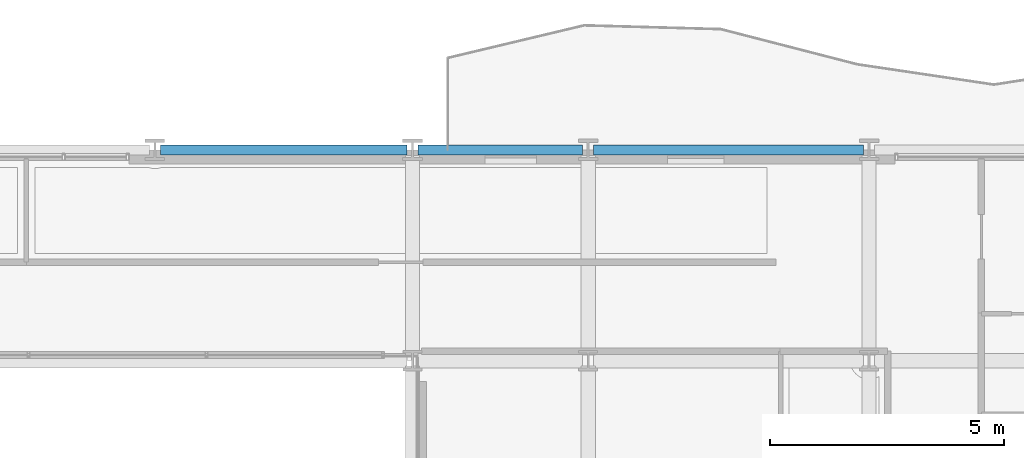
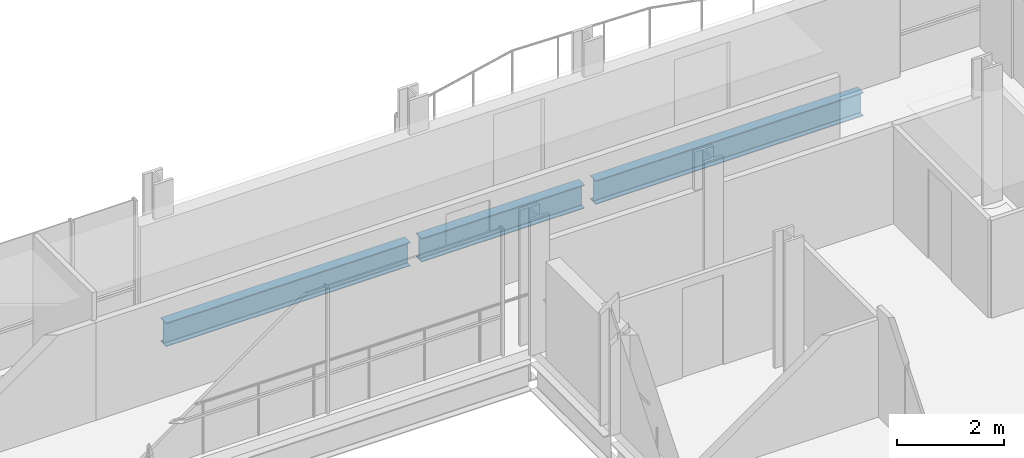
# One storey, part 23 of 41: 3 beams.
"""IFC4 building model written with IfcOpenShell, lengths in metres."""

import ifcopenshell
import ifcopenshell.guid

model = None  # the IFC model being written
_history = None  # IfcOwnerHistory: only IFC2X3 demands one
_inside = {}  # id of a spatial element -> (the spatial element, [elements in it])
_under = {}  # id of a project, library or spatial element -> (it, [spatial elements below it])
_declared = {}  # id of a project -> (the project, [libraries it declares])
_typed = {}  # id of a type object -> (the type object, [elements of that type])
_made_of = {}  # id of a material, layer set ... -> (it, [elements and type objects made of it])


def new_model(schema):
    """Start an empty IFC model of exactly this schema.

    Asked for "IFC4X3", IfcOpenShell would pick the latest addendum, in which some entities
    have other attributes; the version numbers below select the first issue.
    IFC2X3 requires an IfcOwnerHistory on every rooted entity: one is made here for all.
    """
    global model, _history
    if schema == "IFC4X3":
        model = ifcopenshell.file(schema_version=(4, 3, 0, 0))
    else:
        model = ifcopenshell.file(schema=schema)
    _inside.clear()
    _under.clear()
    _declared.clear()
    _typed.clear()
    _made_of.clear()
    _history = None
    if model.schema == "IFC2X3":
        org = make("IfcOrganization", Name="unknown")
        user = make(
            "IfcPersonAndOrganization",
            ThePerson=make("IfcPerson", FamilyName="unknown"),
            TheOrganization=org,
        )
        app = make(
            "IfcApplication",
            ApplicationDeveloper=org,
            Version="unknown",
            ApplicationFullName="unknown",
            ApplicationIdentifier="unknown",
        )
        _history = make(
            "IfcOwnerHistory",
            OwningUser=user,
            OwningApplication=app,
            ChangeAction="ADDED",
            CreationDate=0,
        )
    return model


def make(cls, **values):
    """One entity of the class cls with the attributes given. An attribute that is None is left unset."""
    return model.create_entity(
        cls, **{name: value for name, value in values.items() if value is not None}
    )


def rooted(cls, **values):
    """An entity with a GlobalId (a new one), such as an element, a storey or a relation."""
    return make(cls, GlobalId=ifcopenshell.guid.new(), OwnerHistory=_history, **values)


def si_unit(unit_type, name, prefix=None):
    """IfcSIUnit, for example si_unit("LENGTHUNIT", "METRE", prefix="MILLI")."""
    return make("IfcSIUnit", UnitType=unit_type, Prefix=prefix, Name=name)


def assignment(units):
    """IfcUnitAssignment: the units of a project."""
    return None if units is None else make("IfcUnitAssignment", Units=units)


def point(xyz):
    """IfcCartesianPoint."""
    return None if xyz is None else make("IfcCartesianPoint", Coordinates=xyz)


def direction(xyz):
    """IfcDirection."""
    return None if xyz is None else make("IfcDirection", DirectionRatios=xyz)


def frame(location, z_axis=None, x_axis=None):
    """IfcAxis2Placement3D, a coordinate frame: its origin and axes. An axis left out is left unset."""
    return make(
        "IfcAxis2Placement3D",
        Location=point(location),
        Axis=direction(z_axis),
        RefDirection=direction(x_axis),
    )


def frame_2d(location, x_axis=None):
    """IfcAxis2Placement2D, a coordinate frame in the plane: its origin and x axis."""
    return make(
        "IfcAxis2Placement2D", Location=point(location), RefDirection=direction(x_axis)
    )


def origin():
    """The frame at (0, 0, 0) with its axes left unset."""
    return frame((0.0, 0.0, 0.0))


def origin_2d():
    """The frame at (0, 0) in the plane with its x axis left unset."""
    return frame_2d((0.0, 0.0))


def place(relative_to, where):
    """IfcLocalPlacement: puts the frame where relative to a parent placement (None: the world)."""
    return make(
        "IfcLocalPlacement", PlacementRelTo=relative_to, RelativePlacement=where
    )


def context(
    kind, dimensions, precision=None, world=None, true_north=None, identifier=None
):
    """IfcGeometricRepresentationContext, for example the 3D "Model" context."""
    return make(
        "IfcGeometricRepresentationContext",
        ContextIdentifier=identifier,
        ContextType=kind,
        CoordinateSpaceDimension=dimensions,
        Precision=precision,
        WorldCoordinateSystem=world,
        TrueNorth=true_north,
    )


def subcontext(parent, identifier, kind, view, scale=None):
    """IfcGeometricRepresentationSubContext, for example "Body" below "Model"."""
    return make(
        "IfcGeometricRepresentationSubContext",
        ContextIdentifier=identifier,
        ContextType=kind,
        ParentContext=parent,
        TargetScale=scale,
        TargetView=view,
    )


def project(units=None, contexts=None):
    """IfcProject with its units and contexts."""
    return rooted(
        "IfcProject",
        Name="project",
        RepresentationContexts=contexts,
        UnitsInContext=assignment(units),
    )


def spatial(cls, under=None, at=None, **own):
    """A site, building, storey or space (cls), placed at a placement, below another one or the project."""
    s = rooted(cls, ObjectPlacement=at, **own)
    if under is not None:
        _under.setdefault(under.id(), (under, []))[1].append(s)
    return s


def profile(cls, at=None, kind="AREA", **sizes):
    """A parametric profile (cls). Its sizes go by their IFC names, for example OverallWidth=200.0."""
    return make(cls, ProfileType=kind, Position=at, **sizes)


def i_section(**sizes):
    """IfcIShapeProfileDef."""
    return profile("IfcIShapeProfileDef", **sizes)


def extrude(swept, where, along, depth):
    """IfcExtrudedAreaSolid: the profile swept, set in the frame where, extruded along a direction by depth."""
    return make(
        "IfcExtrudedAreaSolid",
        SweptArea=swept,
        Position=where,
        ExtrudedDirection=direction(along),
        Depth=depth,
    )


def shape(context_of_items, identifier, shape_type, items):
    """IfcShapeRepresentation: the items that make up one representation, for example the "Body"."""
    return make(
        "IfcShapeRepresentation",
        ContextOfItems=context_of_items,
        RepresentationIdentifier=identifier,
        RepresentationType=shape_type,
        Items=items,
    )


def material(Name=None, Category=None):
    """IfcMaterial."""
    return make("IfcMaterial", Name=Name, Category=Category)


def material_profile(
    of_material, cross_section, Name=None, Category=None, Priority=None
):
    """IfcMaterialProfile: a cross section and its material."""
    return make(
        "IfcMaterialProfile",
        Name=Name,
        Material=of_material,
        Profile=cross_section,
        Priority=Priority,
        Category=Category,
    )


def profile_set(profiles, Name=None, composite=None):
    """IfcMaterialProfileSet."""
    return make(
        "IfcMaterialProfileSet",
        Name=Name,
        MaterialProfiles=profiles,
        CompositeProfile=composite,
    )


def made_of(thing, what):
    """Note that an element or type object is made of a material, layer set ...; save() writes the relation."""
    if what is not None:
        _made_of.setdefault(what.id(), (what, []))[1].append(thing)
    return thing


def type_object(cls, material=None, **own):
    """A type object (cls), such as IfcWallType, which elements share."""
    return made_of(rooted(cls, **own), material)


def element(
    cls,
    number,
    at=None,
    inside=None,
    cuts=None,
    type_object=None,
    material=None,
    context=None,
    identifier="Body",
    shape_type=None,
    held_by="IfcProductDefinitionShape",
    body=None,
    shapes=None,
    **own,
):
    """One element of the class cls, such as IfcWall. Its Tag is "e" and its number.

    at: its placement. inside: the storey or other place that contains it. cuts: it is an
    opening in that element (IfcRelVoidsElement). A single representation is given by context,
    identifier, shape_type and body (its items); several are given by shapes. held_by: the class
    of the entity that holds the representations. save() writes the other relations.
    """
    e = rooted(cls, Tag="e%d" % number, ObjectPlacement=at, **own)
    if body is not None:
        shapes = [shape(context, identifier, shape_type, body)]
    if shapes is not None:
        e.Representation = make(held_by, Representations=shapes)
    if inside is not None:
        _inside.setdefault(inside.id(), (inside, []))[1].append(e)
    if cuts is not None:
        rooted(
            "IfcRelVoidsElement", RelatingBuildingElement=cuts, RelatedOpeningElement=e
        )
    if type_object is not None:
        _typed.setdefault(type_object.id(), (type_object, []))[1].append(e)
    return made_of(e, material)


def aggregate(whole, parts):
    """IfcRelAggregates: a whole, such as a stair, and the parts it consists of."""
    return rooted("IfcRelAggregates", RelatingObject=whole, RelatedObjects=parts)


def save(model, path):
    """Write the relations noted so far, then the file.

    IfcRelAggregates (storeys below a building ...), IfcRelContainedInSpatialStructure (elements
    in a storey), IfcRelDefinesByType, IfcRelAssociatesMaterial and IfcRelDeclares: one each for
    every whole, place, type object, material and project.
    """
    for whole, parts in _under.values():
        aggregate(whole, parts)
    for where, things in _inside.values():
        rooted(
            "IfcRelContainedInSpatialStructure",
            RelatedElements=things,
            RelatingStructure=where,
        )
    for kind, things in _typed.values():
        rooted("IfcRelDefinesByType", RelatedObjects=things, RelatingType=kind)
    for what, things in _made_of.values():
        rooted("IfcRelAssociatesMaterial", RelatedObjects=things, RelatingMaterial=what)
    for by, libraries in _declared.values():
        rooted("IfcRelDeclares", RelatingContext=by, RelatedDefinitions=libraries)
    model.write(path)


model = new_model("IFC4")

# Units and contexts
model_context = context("Model", 3, precision=1e-05, world=origin(), true_north=direction((0.0, 1.0)))
body_context = subcontext(model_context, "Body", "Model", "MODEL_VIEW")
ifc_project = project(units=[si_unit("LENGTHUNIT", "METRE"), si_unit("AREAUNIT", "SQUARE_METRE"), si_unit("VOLUMEUNIT", "CUBIC_METRE"), si_unit("PLANEANGLEUNIT", "RADIAN"), si_unit("MASSUNIT", "GRAM", prefix="KILO")], contexts=[model_context])

# Site, building, storey
site_placement = place(None, origin())
site = spatial("IfcSite", under=ifc_project, at=site_placement, CompositionType="ELEMENT")
building_placement = place(site_placement, origin())
building = spatial("IfcBuilding", under=site, at=building_placement, Name="Brevholm Reach", CompositionType="ELEMENT")
storey_placement = place(building_placement, frame((0.0, 0.0, 68.300048828125)))
storey = spatial("IfcBuildingStorey", under=building, at=storey_placement, Name="L19", CompositionType="ELEMENT", Elevation=68.300048828125)

# Beams
ifc_material = material(Name="Structural Steel S355J2", Category="steel")
ifc_material_profile = material_profile(ifc_material, i_section(OverallWidth=0.210693359375, OverallDepth=0.53955078125, WebThickness=0.01171875, FlangeThickness=0.018798828125, FilletRadius=0.0126953125, at=origin_2d()), Name="UKB 533x210x109")
ifc_profile_set = profile_set([ifc_material_profile], Name="Structural Steel S355J2")
beam_type = type_object("IfcBeamType", Name="BM-SP539", PredefinedType="SPANDREL", material=ifc_profile_set)
beam_1_placement = place(storey_placement, frame((32.8701171875, 31.0, -0.499755859375), z_axis=(1.0, 0.0, 0.0), x_axis=(0.0, 1.0, 0.0)))
element("IfcBeam", 1, at=beam_1_placement, inside=storey, type_object=beam_type, Name="L19 SP-01B Framing Beam", PredefinedType="SPANDREL", context=body_context, shape_type="SweptSolid", body=[
    extrude(i_section(OverallWidth=0.210693359375, OverallDepth=0.53955078125, WebThickness=0.01171875, FlangeThickness=0.018798828125, FilletRadius=0.0126953125, at=origin_2d()), origin(), (0.0, 0.0, 1.0), 5.259765625),
])
beam_2_placement = place(storey_placement, frame((38.3701171875, 31.0, -0.499755859375), z_axis=(1.0, 0.0, 0.0), x_axis=(0.0, 1.0, 0.0)))
element("IfcBeam", 2, at=beam_2_placement, inside=storey, type_object=beam_type, Name="L19 SP-01B Framing Beam", PredefinedType="SPANDREL", context=body_context, shape_type="SweptSolid", body=[
    extrude(i_section(OverallWidth=0.210693359375, OverallDepth=0.53955078125, WebThickness=0.01171875, FlangeThickness=0.018798828125, FilletRadius=0.0126953125, at=origin_2d()), origin(), (0.0, 0.0, 1.0), 3.509765625),
])
beam_3_placement = place(storey_placement, frame((42.1201171875, 31.0, -0.499755859375), z_axis=(1.0, 0.0, 0.0), x_axis=(0.0, 1.0, 0.0)))
element("IfcBeam", 3, at=beam_3_placement, inside=storey, type_object=beam_type, Name="L19 SP-01B Framing Beam", PredefinedType="SPANDREL", context=body_context, shape_type="SweptSolid", body=[
    extrude(i_section(OverallWidth=0.210693359375, OverallDepth=0.53955078125, WebThickness=0.01171875, FlangeThickness=0.018798828125, FilletRadius=0.0126953125, at=origin_2d()), origin(), (0.0, 0.0, 1.0), 5.759765625),
])

save(model, "model.ifc")
